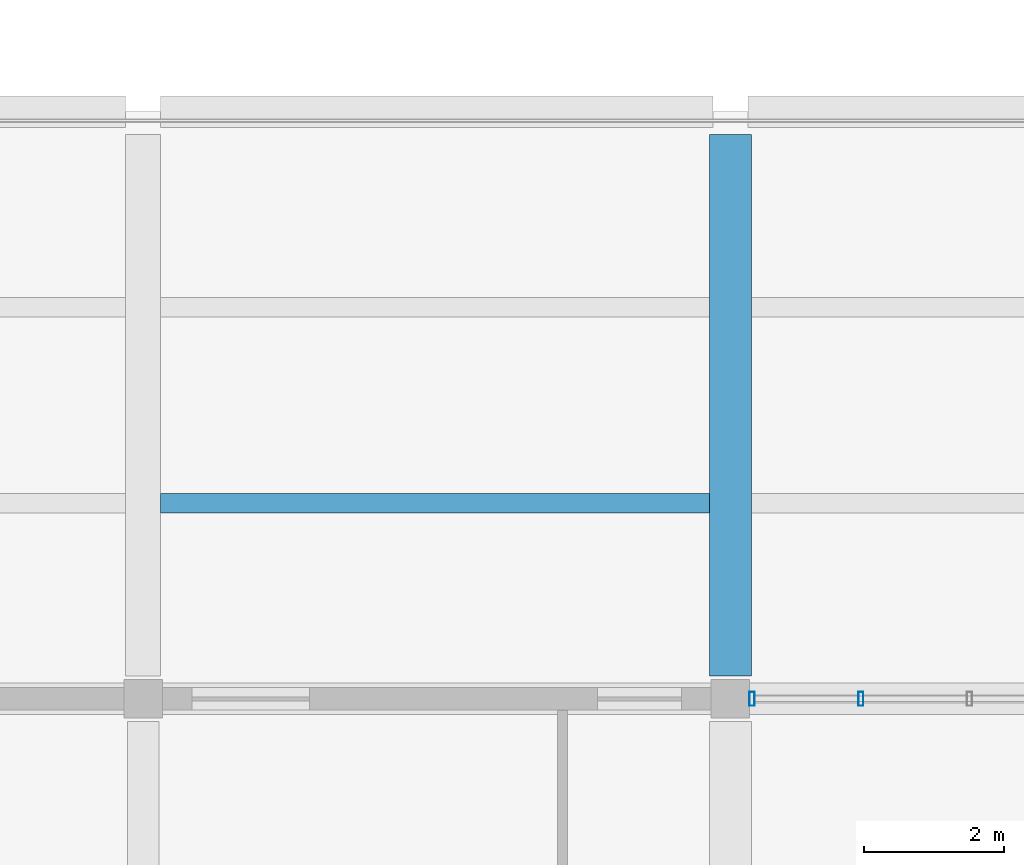
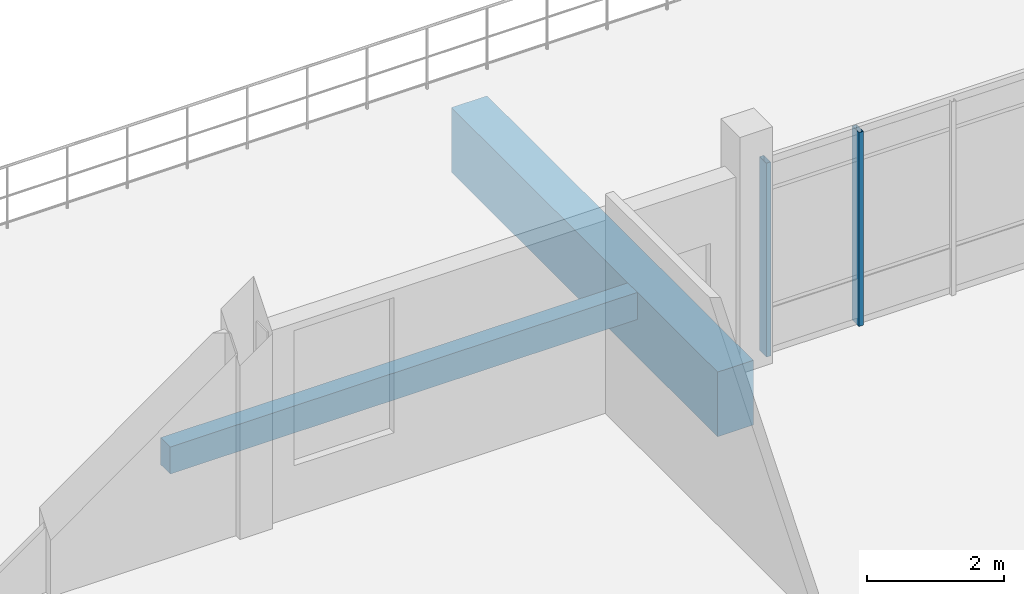
# One storey, part 35 of 130: 2 beams, 2 members, 1 element without a shape of its own.
"""IFC4 building model written with IfcOpenShell, lengths in metres."""

from ifc_helpers import new_model, si_unit, direction, frame, origin, origin_2d, place, context, subcontext, project, spatial, rectangle, hollow_rectangle, extrude, material, layer, layer_set, material_profile, profile_set, type_object, element, aggregate, save


model = new_model("IFC4")

# Units and contexts
model_context = context("Model", 3, precision=1e-05, world=origin(), true_north=direction((0.0, 1.0)))
body_context = subcontext(model_context, "Body", "Model", "MODEL_VIEW")
ifc_project = project(units=[si_unit("LENGTHUNIT", "METRE"), si_unit("AREAUNIT", "SQUARE_METRE"), si_unit("VOLUMEUNIT", "CUBIC_METRE"), si_unit("PLANEANGLEUNIT", "RADIAN"), si_unit("MASSUNIT", "GRAM", prefix="KILO")], contexts=[model_context])

# Site, building, storey
site_placement = place(None, origin())
site = spatial("IfcSite", under=ifc_project, at=site_placement, CompositionType="ELEMENT")
building_placement = place(site_placement, origin())
building = spatial("IfcBuilding", under=site, at=building_placement, Name="Vireocrest Preparatory School", CompositionType="ELEMENT")
storey_placement = place(building_placement, frame((0.0, 0.0, 9.0)))
storey = spatial("IfcBuildingStorey", under=building, at=storey_placement, Name="L02", CompositionType="ELEMENT", Elevation=9.0)

# Curtain wall, members
ifc_material_1 = material(Name="Thermally broken aluminium EN AW-6063-T6", Category="aluminium")
ifc_layer = layer(ifc_material_1, 0.179931640625)
ifc_layer_set = layer_set([ifc_layer], Name="Thermally broken aluminium EN AW-6063-T6")
curtain_wall_type = type_object("IfcCurtainWallType", Name="Library Reading Bay Glazing 7600x4200", PredefinedType="USERDEFINED", material=ifc_layer_set)
curtain_wall_placement = place(storey_placement, origin())
curtain_wall = element("IfcCurtainWall", 1, at=curtain_wall_placement, inside=storey, type_object=curtain_wall_type, Name="Curtain Wall CW16 CW_L02_CW16_1262_0354_090", ObjectType="CURTAIN WALL", PredefinedType="USERDEFINED")
ifc_material_profile_1 = material_profile(ifc_material_1, hollow_rectangle(XDim=0.074951171875, YDim=0.199951171875, WallThickness=0.0048828125, at=origin_2d()), Name="ALU 75x200x5")
ifc_profile_set_1 = profile_set([ifc_material_profile_1], Name="Thermally broken aluminium EN AW-6063-T6")
member_type = type_object("IfcMemberType", Name="CW Mullion 75x200x5", PredefinedType="MULLION", material=ifc_profile_set_1)
member_1_placement = place(storey_placement, frame((126.31005859375, 35.39990234375, 0.0), z_axis=(0.0, 0.0, 1.0), x_axis=(1.0, 0.0, 0.0)))
member_1 = element("IfcMember", 2, at=member_1_placement, type_object=member_type, Name="CW Mullion ML3 CW_L02_CW16_1262_0354_090-1", PredefinedType="MULLION", context=body_context, shape_type="SweptSolid", body=[
    extrude(hollow_rectangle(XDim=0.074951171875, YDim=0.199951171875, WallThickness=0.0048828125, at=origin_2d()), origin(), (0.0, 0.0, 1.0), 3.445068359375),
])
member_2_placement = place(storey_placement, frame((127.865966796875, 35.39990234375, 0.0), z_axis=(0.0, 0.0, 1.0), x_axis=(1.0, 0.0, 0.0)))
member_2 = element("IfcMember", 3, at=member_2_placement, type_object=member_type, Name="CW Mullion ML3 CW_L02_CW16_1262_0354_090-2", PredefinedType="MULLION", context=body_context, shape_type="SweptSolid", body=[
    extrude(hollow_rectangle(XDim=0.074951171875, YDim=0.199951171875, WallThickness=0.0048828125, at=origin_2d()), origin(), (0.0, 0.0, 1.0), 3.445068359375),
])
aggregate(curtain_wall, [member_1, member_2])

# Beams
ifc_material_2 = material(Name="Concrete 40 MPa", Category="concrete")
ifc_material_profile_2 = material_profile(ifc_material_2, rectangle(XDim=0.60009765625, YDim=1.14990234375, at=origin_2d()), Name="RC 600x1150")
ifc_profile_set_2 = profile_set([ifc_material_profile_2], Name="Concrete 40 MPa")
beam_type_1 = type_object("IfcBeamType", Name="RC Heavy Transfer Girder 600x1150", PredefinedType="BEAM", material=ifc_profile_set_2)
beam_1_placement = place(storey_placement, frame((126.0, 35.72509765625, -0.89501953125), z_axis=(0.0, 1.0, 0.0), x_axis=(-1.0, 0.0, 0.0)))
element("IfcBeam", 4, at=beam_1_placement, inside=storey, type_object=beam_type_1, Name="Primary Girder B20 L02-0877", PredefinedType="BEAM", context=body_context, shape_type="SweptSolid", body=[
    extrude(rectangle(XDim=0.60009765625, YDim=1.14990234375, at=origin_2d()), origin(), (0.0, 0.0, 1.0), 7.75),
])
ifc_material_profile_3 = material_profile(ifc_material_2, rectangle(XDim=0.280029296875, YDim=0.47998046875, at=origin_2d()), Name="RC 280x480")
ifc_profile_set_3 = profile_set([ifc_material_profile_3], Name="Concrete 40 MPa")
beam_type_2 = type_object("IfcBeamType", Name="RC Secondary Lab Joist 280x480", PredefinedType="JOIST", material=ifc_profile_set_3)
beam_2_placement = place(storey_placement, frame((117.85009765625, 38.199951171875, -0.56005859375), z_axis=(1.0, 0.0, 0.0), x_axis=(0.0, 1.0, 0.0)))
element("IfcBeam", 5, at=beam_2_placement, inside=storey, type_object=beam_type_2, Name="Secondary Joist J02 L02-1020", PredefinedType="JOIST", context=body_context, shape_type="SweptSolid", body=[
    extrude(rectangle(XDim=0.280029296875, YDim=0.47998046875, at=origin_2d()), origin(), (0.0, 0.0, 1.0), 7.849853515625),
])

save(model, "model.ifc")
